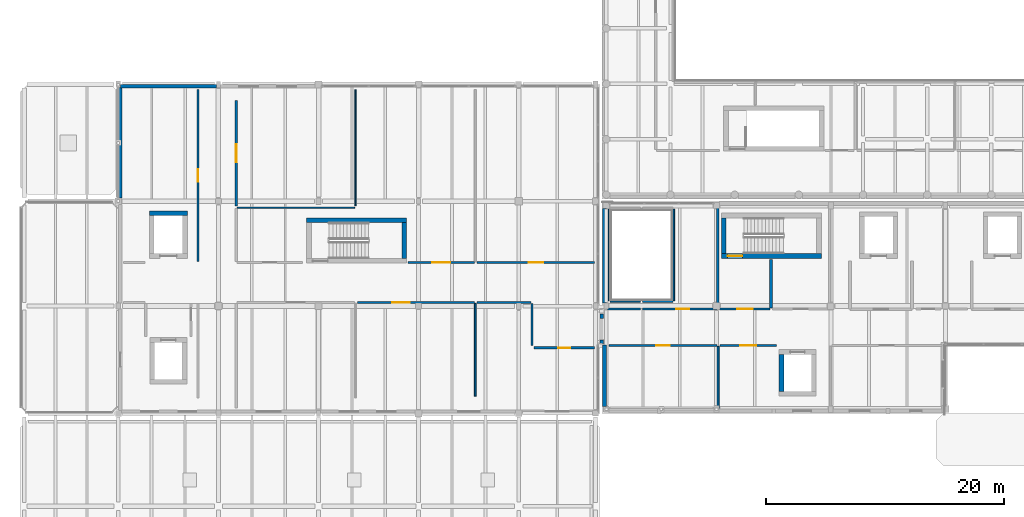
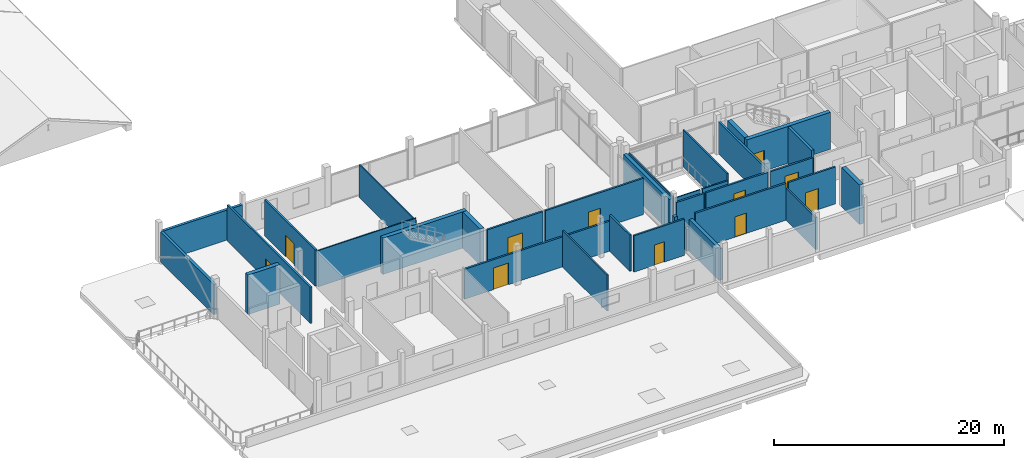
# One storey, part 41 of 66: 35 walls, 11 doors, 11 openings.
"""IFC4 building model written with IfcOpenShell, lengths in metres."""

from ifc_helpers import new_model, si_unit, direction, frame, frame_2d, origin, place, context, subcontext, project, spatial, rectangle, extrude, material, layer, layer_set, type_object, element, fill, save


model = new_model("IFC4")

# Units and contexts
model_context = context("Model", 3, precision=1e-05, world=origin(), true_north=direction((0.0, 1.0)))
body_context = subcontext(model_context, "Body", "Model", "MODEL_VIEW")
ifc_project = project(units=[si_unit("LENGTHUNIT", "METRE"), si_unit("AREAUNIT", "SQUARE_METRE"), si_unit("VOLUMEUNIT", "CUBIC_METRE"), si_unit("PLANEANGLEUNIT", "RADIAN"), si_unit("MASSUNIT", "GRAM", prefix="KILO")], contexts=[model_context])

# Site, building, storey
site_placement = place(None, origin())
site = spatial("IfcSite", under=ifc_project, at=site_placement, CompositionType="ELEMENT")
building_placement = place(site_placement, origin())
building = spatial("IfcBuilding", under=site, at=building_placement, Name="Birchvale Park Specialist Clinic", CompositionType="ELEMENT")
storey_placement = place(building_placement, frame((0.0, 0.0, 5.39990234375)))
storey = spatial("IfcBuildingStorey", under=building, at=storey_placement, Name="L01", CompositionType="ELEMENT", Elevation=5.39990234375)

# Walls
ifc_material_1 = material(Name="Concrete C40/50", Category="concrete")
ifc_layer_1 = layer(ifc_material_1, 0.39990234375)
ifc_layer_set_1 = layer_set([ifc_layer_1], Name="Concrete C40/50")
wall_type_1 = type_object("IfcWallType", Name="WL-CW-120", PredefinedType="SHEAR", material=ifc_layer_set_1)
wall_1_placement = place(storey_placement, frame((35.39990234375, 33.0, 0.0), z_axis=(0.0, 0.0, 1.0), x_axis=(-1.0, 0.0, 0.0)))
element("IfcWall", 1, at=wall_1_placement, inside=storey, type_object=wall_type_1, Name="L01 stair ST2 EI 120 enclosure wall (north)", PredefinedType="SHEAR", context=body_context, shape_type="SweptSolid", body=[
    extrude(rectangle(XDim=8.39990234375, YDim=0.39990234375, at=frame_2d((4.199951171875, 0.0))), origin(), (0.0, 0.0, 1.0), 3.85009765625),
])
wall_2_placement = place(storey_placement, frame((35.199951171875, 32.800048828125, 0.0), z_axis=(0.0, 0.0, 1.0), x_axis=(0.0, -1.0, 0.0)))
element("IfcWall", 2, at=wall_2_placement, inside=storey, type_object=wall_type_1, Name="L01 stair ST2 EI 120 enclosure wall (east)", PredefinedType="SHEAR", context=body_context, shape_type="SweptSolid", body=[
    extrude(rectangle(XDim=3.0, YDim=0.39990234375, at=frame_2d((1.5, 0.0))), origin(), (0.0, 0.0, 1.0), 3.85009765625),
])

# Wall, opening, door
wall_3_placement = place(storey_placement, frame((61.800048828125, 30.0, 0.0), z_axis=(0.0, 0.0, 1.0), x_axis=(1.0, 0.0, 0.0)))
wall_3 = element("IfcWall", 3, at=wall_3_placement, inside=storey, type_object=wall_type_1, Name="L01 stair ST4 EI 120 enclosure wall (south)", PredefinedType="SHEAR", context=body_context, shape_type="SweptSolid", body=[
    extrude(rectangle(XDim=8.39990234375, YDim=0.39990234375, at=frame_2d((4.199951171875, 0.0))), origin(), (0.0, 0.0, 1.0), 3.920166015625),
])
opening_1_placement = place(wall_3_placement, frame((0.52001953125, 0.0, 0.0)))
opening_1 = element("IfcOpeningElement", 4, at=opening_1_placement, cuts=wall_3, Name="Opening ID-FD60", PredefinedType="OPENING", context=body_context, shape_type="SweptSolid", body=[
    extrude(rectangle(XDim=1.25, YDim=2.199951171875, at=frame_2d((0.625, 1.10009765625))), frame((0.0, 0.2099609375, 0.0), z_axis=(0.0, -1.0, 0.0), x_axis=(1.0, 0.0, 0.0)), (0.0, 0.0, 1.0), 0.419921875),
])
ifc_material_2 = material(Name="Solid-core birch veneer and anodised aluminium", Category="aluminium")
door_type_1 = type_object("IfcDoorType", Name="DR-ID-FD60", OperationType="NOTDEFINED", PredefinedType="DOOR", material=ifc_material_2)
door_1_placement = place(opening_1_placement, origin())
door_1 = element("IfcDoor", 5, at=door_1_placement, inside=storey, type_object=door_type_1, Name="L01 stair ST4 fire door", OperationType="SINGLE_SWING_RIGHT", OverallHeight=2.199951171875, OverallWidth=1.25, PredefinedType="DOOR", context=body_context, shape_type="SweptSolid", body=[
    extrude(rectangle(XDim=1.25, YDim=2.199951171875, at=frame_2d((0.625, 1.10009765625))), frame((0.0, 0.02490234375, 0.0), z_axis=(0.0, -1.0, 0.0), x_axis=(1.0, 0.0, 0.0)), (0.0, 0.0, 1.0), 0.050048828125),
])
fill(opening_1, door_1)

# Walls
wall_4_placement = place(storey_placement, frame((62.0, 30.199951171875, 0.0), z_axis=(0.0, 0.0, 1.0), x_axis=(0.0, 1.0, 0.0)))
element("IfcWall", 6, at=wall_4_placement, inside=storey, type_object=wall_type_1, Name="L01 stair ST4 EI 120 enclosure wall (west)", PredefinedType="SHEAR", context=body_context, shape_type="SweptSolid", body=[
    extrude(rectangle(XDim=3.0, YDim=0.39990234375, at=frame_2d((1.5, 0.0))), origin(), (0.0, 0.0, 1.0), 3.920166015625),
])
wall_5_placement = place(storey_placement, frame((66.85009765625, 18.64990234375, 0.0), z_axis=(0.0, 0.0, 1.0), x_axis=(0.0, 1.0, 0.0)))
element("IfcWall", 7, at=wall_5_placement, inside=storey, type_object=wall_type_1, Name="L01 lift LP1 shaft wall (west)", PredefinedType="SHEAR", context=body_context, shape_type="SweptSolid", body=[
    extrude(rectangle(XDim=3.10009765625, YDim=0.39990234375, at=frame_2d((1.550048828125, 0.0))), origin(), (0.0, 0.0, 1.0), 4.2001953125),
])
wall_6_placement = place(storey_placement, frame((17.0, 33.60009765625, 0.0), z_axis=(0.0, 0.0, 1.0), x_axis=(-1.0, 0.0, 0.0)))
element("IfcWall", 8, at=wall_6_placement, inside=storey, type_object=wall_type_1, Name="L01 lift LS1 shaft wall (north)", PredefinedType="SHEAR", context=body_context, shape_type="SweptSolid", body=[
    extrude(rectangle(XDim=3.199951171875, YDim=0.39990234375, at=frame_2d((1.60009765625, 0.0))), origin(), (0.0, 0.0, 1.0), 4.2001953125),
])
ifc_material_3 = material(Name="Lime-white mineral-rendered insulated masonry", Category="masonry")
ifc_layer_2 = layer(ifc_material_3, 0.340087890625)
ifc_layer_set_2 = layer_set([ifc_layer_2], Name="Lime-white mineral-rendered insulated masonry")
wall_type_2 = type_object("IfcWallType", Name="WL-EW-01", PredefinedType="STANDARD", material=ifc_layer_set_2)
wall_7_placement = place(storey_placement, frame((51.989990234375, 33.989990234375, 0.0), z_axis=(0.0, 0.0, 1.0), x_axis=(0.0, -1.0, 0.0)))
element("IfcWall", 9, at=wall_7_placement, inside=storey, type_object=wall_type_2, Name="V4 L01 exterior facade wall 157", PredefinedType="STANDARD", context=body_context, shape_type="SweptSolid", body=[
    extrude(rectangle(XDim=7.93505859375, YDim=0.340087890625, at=frame_2d((3.967529296875, 0.0))), origin(), (0.0, 0.0, 1.0), 3.364990234375),
])
wall_8_placement = place(storey_placement, frame((51.989990234375, 22.550048828125, 0.0), z_axis=(0.0, 0.0, 1.0), x_axis=(0.0, -1.0, 0.0)))
element("IfcWall", 10, at=wall_8_placement, inside=storey, type_object=wall_type_2, Name="V4 L01 exterior facade wall 158", PredefinedType="STANDARD", context=body_context, shape_type="SweptSolid", body=[
    extrude(rectangle(XDim=5.1650390625, YDim=0.340087890625, at=frame_2d((2.58251953125, 0.0))), origin(), (0.0, 0.0, 1.0), 3.364990234375),
])
ifc_layer_3 = layer(ifc_material_3, 0.27001953125)
ifc_layer_set_3 = layer_set([ifc_layer_3], Name="Lime-white mineral-rendered insulated masonry")
wall_type_3 = type_object("IfcWallType", Name="WL-EW-04", PredefinedType="STANDARD", material=ifc_layer_set_3)
wall_9_placement = place(storey_placement, frame((19.429931640625, 44.2451171875, 0.0), z_axis=(0.0, 0.0, 1.0), x_axis=(-1.0, 0.0, 0.0)))
element("IfcWall", 11, at=wall_9_placement, inside=storey, type_object=wall_type_3, Name="V2 L01 exterior facade wall 133", PredefinedType="STANDARD", context=body_context, shape_type="SweptSolid", body=[
    extrude(rectangle(XDim=8.034912109375, YDim=0.27001953125, at=frame_2d((4.017578125, 0.0))), origin(), (0.0, 0.0, 1.0), 3.18505859375),
])
wall_10_placement = place(storey_placement, frame((11.35498046875, 44.1298828125, 0.0), z_axis=(0.0, 0.0, 1.0), x_axis=(0.0, -1.0, 0.0)))
element("IfcWall", 12, at=wall_10_placement, inside=storey, type_object=wall_type_3, Name="V2 L01 exterior facade wall 134", PredefinedType="STANDARD", context=body_context, shape_type="SweptSolid", body=[
    extrude(rectangle(XDim=9.259765625, YDim=0.27001953125, at=frame_2d((4.6298828125, 0.0))), origin(), (0.0, 0.0, 1.0), 3.195068359375),
])
ifc_material_4 = material(Name="Acoustic gypsum board on metal framing")
ifc_layer_4 = layer(ifc_material_4, 0.1650390625)
ifc_layer_set_4 = layer_set([ifc_layer_4], Name="Acoustic gypsum board on metal framing")
wall_type_4 = type_object("IfcWallType", Name="WL-IW-01", PredefinedType="PARTITIONING", material=ifc_layer_set_4)
wall_11_placement = place(storey_placement, frame((61.526611328125, 22.419921875, 0.0), z_axis=(0.0, 0.0, 1.0), x_axis=(0.0, -1.0, 0.0)))
element("IfcWall", 13, at=wall_11_placement, inside=storey, type_object=wall_type_4, Name="V4 L01 clinical partition 324", PredefinedType="PARTITIONING", context=body_context, shape_type="SweptSolid", body=[
    extrude(rectangle(XDim=5.179931640625, YDim=0.1650390625, at=frame_2d((2.58984375, 0.0))), origin(), (0.0, 0.0, 1.0), 3.405029296875),
])
ifc_layer_5 = layer(ifc_material_4, 0.14990234375)
ifc_layer_set_5 = layer_set([ifc_layer_5], Name="Acoustic gypsum board on metal framing")
wall_type_5 = type_object("IfcWallType", Name="WL-IW-02", PredefinedType="PARTITIONING", material=ifc_layer_set_5)
wall_12_placement = place(storey_placement, frame((41.1533203125, 26.02001953125, 0.0), z_axis=(0.0, 0.0, 1.0), x_axis=(0.0, -1.0, 0.0)))
element("IfcWall", 14, at=wall_12_placement, inside=storey, type_object=wall_type_5, Name="V2 L01 clinical partition 309", PredefinedType="PARTITIONING", context=body_context, shape_type="SweptSolid", body=[
    extrude(rectangle(XDim=7.76513671875, YDim=0.14990234375, at=frame_2d((3.882568359375, 0.0))), origin(), (0.0, 0.0, 1.0), 3.85009765625),
])
wall_13_placement = place(storey_placement, frame((55.199951171875, 26.179931640625, 0.0), z_axis=(0.0, 0.0, 1.0), x_axis=(1.0, 0.0, 0.0)))
element("IfcWall", 15, at=wall_13_placement, inside=storey, type_object=wall_type_5, Name="V4 L01 clinical partition 341", PredefinedType="PARTITIONING", context=body_context, shape_type="SweptSolid", body=[
    extrude(rectangle(XDim=2.5400390625, YDim=0.14990234375, at=frame_2d((1.27001953125, 0.0))), origin(), (0.0, 0.0, 1.0), 3.255126953125),
])
ifc_layer_6 = layer(ifc_material_4, 0.139892578125)
ifc_layer_set_6 = layer_set([ifc_layer_6], Name="Acoustic gypsum board on metal framing")
wall_type_6 = type_object("IfcWallType", Name="WL-IW-03", PredefinedType="PARTITIONING", material=ifc_layer_set_6)
wall_14_placement = place(storey_placement, frame((57.820068359375, 26.260009765625, 0.0), z_axis=(0.0, 0.0, 1.0), x_axis=(0.0, 1.0, 0.0)))
element("IfcWall", 16, at=wall_14_placement, inside=storey, type_object=wall_type_6, Name="V4 L01 clinical partition 342", PredefinedType="PARTITIONING", context=body_context, shape_type="SweptSolid", body=[
    extrude(rectangle(XDim=7.679931640625, YDim=0.139892578125, at=frame_2d((3.83984375, 0.0))), origin(), (0.0, 0.0, 1.0), 3.920166015625),
])
ifc_layer_7 = layer(ifc_material_4, 0.125)
ifc_layer_set_7 = layer_set([ifc_layer_7], Name="Acoustic gypsum board on metal framing")
wall_type_7 = type_object("IfcWallType", Name="WL-IW-04", PredefinedType="PARTITIONING", material=ifc_layer_set_7)
wall_15_placement = place(storey_placement, frame((52.3798828125, 33.93994140625, 0.0), z_axis=(0.0, 0.0, 1.0), x_axis=(0.0, -1.0, 0.0)))
element("IfcWall", 17, at=wall_15_placement, inside=storey, type_object=wall_type_7, Name="V4 L01 clinical partition 338", PredefinedType="PARTITIONING", context=body_context, shape_type="SweptSolid", body=[
    extrude(rectangle(XDim=7.679931640625, YDim=0.125, at=frame_2d((3.83984375, 0.0))), origin(), (0.0, 0.0, 1.0), 3.364990234375),
])
ifc_layer_8 = layer(ifc_material_4, 0.114990234375)
ifc_layer_set_8 = layer_set([ifc_layer_8], Name="Acoustic gypsum board on metal framing")
wall_type_8 = type_object("IfcWallType", Name="WL-IW-05", PredefinedType="PARTITIONING", material=ifc_layer_set_8)
wall_16_placement = place(storey_placement, frame((21.179931640625, 34.050048828125, 0.0), z_axis=(0.0, 0.0, 1.0), x_axis=(1.0, 0.0, 0.0)))
element("IfcWall", 18, at=wall_16_placement, inside=storey, type_object=wall_type_8, Name="V2 L01 clinical partition 316", PredefinedType="PARTITIONING", context=body_context, shape_type="SweptSolid", body=[
    extrude(rectangle(XDim=9.8466796875, YDim=0.114990234375, at=frame_2d((4.92333984375, 0.0))), origin(), (0.0, 0.0, 1.0), 3.85009765625),
])
wall_17_placement = place(storey_placement, frame((31.106689453125, 43.9599609375, 0.0), z_axis=(0.0, 0.0, 1.0), x_axis=(0.0, -1.0, 0.0)))
element("IfcWall", 19, at=wall_17_placement, inside=storey, type_object=wall_type_8, Name="V2 L01 clinical partition 318", PredefinedType="PARTITIONING", context=body_context, shape_type="SweptSolid", body=[
    extrude(rectangle(XDim=9.75, YDim=0.114990234375, at=frame_2d((4.875, 0.0))), origin(), (0.0, 0.0, 1.0), 3.484130859375),
])
wall_18_placement = place(storey_placement, frame((52.4599609375, 26.179931640625, 0.0), z_axis=(0.0, 0.0, 1.0), x_axis=(1.0, 0.0, 0.0)))
element("IfcWall", 20, at=wall_18_placement, inside=storey, type_object=wall_type_8, Name="V4 L01 clinical partition 339", PredefinedType="PARTITIONING", context=body_context, shape_type="SweptSolid", body=[
    extrude(rectangle(XDim=2.5400390625, YDim=0.114990234375, at=frame_2d((1.27001953125, 0.0))), origin(), (0.0, 0.0, 1.0), 3.255126953125),
])
ifc_layer_9 = layer(ifc_material_4, 0.195068359375)
ifc_layer_set_9 = layer_set([ifc_layer_9], Name="Acoustic gypsum board on metal framing")
wall_type_9 = type_object("IfcWallType", Name="WL-IW-07", PredefinedType="PARTITIONING", material=ifc_layer_set_9)
wall_19_placement = place(storey_placement, frame((61.506591796875, 34.159912109375, 0.0), z_axis=(0.0, 0.0, 1.0), x_axis=(0.0, -1.0, 0.0)))
element("IfcWall", 21, at=wall_19_placement, inside=storey, type_object=wall_type_9, Name="V4 L01 clinical partition 344", PredefinedType="PARTITIONING", context=body_context, shape_type="SweptSolid", body=[
    extrude(rectangle(XDim=8.530029296875, YDim=0.195068359375, at=frame_2d((4.26513671875, 0.0))), origin(), (0.0, 0.0, 1.0), 3.405029296875),
])
ifc_layer_10 = layer(ifc_material_4, 0.239990234375)
ifc_layer_set_10 = layer_set([ifc_layer_10], Name="Acoustic gypsum board on metal framing")
wall_type_10 = type_object("IfcWallType", Name="WL-IW-08", PredefinedType="PARTITIONING", material=ifc_layer_set_10)
wall_20_placement = place(storey_placement, frame((65.97998046875, 29.699951171875, 0.0), z_axis=(0.0, 0.0, 1.0), x_axis=(0.0, -1.0, 0.0)))
element("IfcWall", 22, at=wall_20_placement, inside=storey, type_object=wall_type_10, Name="V4 L01 clinical partition 346", PredefinedType="PARTITIONING", context=body_context, shape_type="SweptSolid", body=[
    extrude(rectangle(XDim=4.070068359375, YDim=0.239990234375, at=frame_2d((2.03515625, 0.0))), origin(), (0.0, 0.0, 1.0), 3.920166015625),
])

# Wall, opening, door
ifc_layer_11 = layer(ifc_material_4, 0.179931640625)
ifc_layer_set_11 = layer_set([ifc_layer_11], Name="Acoustic gypsum board on metal framing")
wall_type_11 = type_object("IfcWallType", Name="WL-IW-60", PredefinedType="PARTITIONING", material=ifc_layer_set_11)
wall_21_placement = place(storey_placement, frame((31.2666015625, 26.10009765625, 0.0), z_axis=(0.0, 0.0, 1.0), x_axis=(1.0, 0.0, 0.0)))
wall_21 = element("IfcWall", 23, at=wall_21_placement, inside=storey, type_object=wall_type_11, Name="V2 L01 clinical partition 308", PredefinedType="PARTITIONING", context=body_context, shape_type="SweptSolid", body=[
    extrude(rectangle(XDim=9.806640625, YDim=0.179931640625, at=frame_2d((4.9033203125, 0.0))), origin(), (0.0, 0.0, 1.0), 3.18505859375),
])
opening_2_placement = place(wall_21_placement, frame((2.9033203125, 0.0, 0.0)))
opening_2 = element("IfcOpeningElement", 24, at=opening_2_placement, cuts=wall_21, Name="Opening ID-07", PredefinedType="OPENING", context=body_context, shape_type="SweptSolid", body=[
    extrude(rectangle(XDim=1.5, YDim=2.300048828125, at=frame_2d((0.75, 1.14990234375))), frame((0.0, 0.10009765625, 0.0), z_axis=(0.0, -1.0, 0.0), x_axis=(1.0, 0.0, 0.0)), (0.0, 0.0, 1.0), 0.199951171875),
])
door_type_2 = type_object("IfcDoorType", Name="DR-ID-07", OperationType="DOUBLE_DOOR_SINGLE_SWING", PredefinedType="DOOR", material=ifc_material_2)
door_2_placement = place(opening_2_placement, origin())
door_2 = element("IfcDoor", 25, at=door_2_placement, inside=storey, type_object=door_type_2, Name="L01 Nuclear Medicine Scanner Room door", OperationType="DOUBLE_DOOR_SINGLE_SWING", OverallHeight=2.300048828125, OverallWidth=1.5, PredefinedType="DOOR", context=body_context, shape_type="SweptSolid", body=[
    extrude(rectangle(XDim=1.5, YDim=2.300048828125, at=frame_2d((0.75, 1.14990234375))), frame((0.0, 0.02490234375, 0.0), z_axis=(0.0, -1.0, 0.0), x_axis=(1.0, 0.0, 0.0)), (0.0, 0.0, 1.0), 0.050048828125),
])
fill(opening_2, door_2)

# Walls
wall_22_placement = place(storey_placement, frame((41.313232421875, 26.10009765625, 0.0), z_axis=(0.0, 0.0, 1.0), x_axis=(1.0, 0.0, 0.0)))
element("IfcWall", 26, at=wall_22_placement, inside=storey, type_object=wall_type_11, Name="V2 L01 clinical partition 310", PredefinedType="PARTITIONING", context=body_context, shape_type="SweptSolid", body=[
    extrude(rectangle(XDim=4.5068359375, YDim=0.179931640625, at=frame_2d((2.25341796875, 0.0))), origin(), (0.0, 0.0, 1.0), 3.18505859375),
])
wall_23_placement = place(storey_placement, frame((45.89990234375, 26.02001953125, 0.0), z_axis=(0.0, 0.0, 1.0), x_axis=(0.0, -1.0, 0.0)))
element("IfcWall", 27, at=wall_23_placement, inside=storey, type_object=wall_type_11, Name="V2 L01 clinical partition 311", PredefinedType="PARTITIONING", context=body_context, shape_type="SweptSolid", body=[
    extrude(rectangle(XDim=3.5400390625, YDim=0.179931640625, at=frame_2d((1.77001953125, 0.0))), origin(), (0.0, 0.0, 1.0), 3.85009765625),
])

# Wall, opening, door
wall_24_placement = place(storey_placement, frame((46.080078125, 22.300048828125, 0.0), z_axis=(0.0, 0.0, 1.0), x_axis=(1.0, 0.0, 0.0)))
wall_24 = element("IfcWall", 28, at=wall_24_placement, inside=storey, type_object=wall_type_11, Name="V2 L01 clinical partition 312", PredefinedType="PARTITIONING", context=body_context, shape_type="SweptSolid", body=[
    extrude(rectangle(XDim=5.079833984375, YDim=0.179931640625, at=frame_2d((2.5400390625, 0.0))), origin(), (0.0, 0.0, 1.0), 3.85009765625),
])
opening_3_placement = place(wall_24_placement, frame((2.0400390625, 0.0, 0.0)))
opening_3 = element("IfcOpeningElement", 29, at=opening_3_placement, cuts=wall_24, Name="Opening ID-01", PredefinedType="OPENING", context=body_context, shape_type="SweptSolid", body=[
    extrude(rectangle(XDim=1.0, YDim=2.14990234375, at=frame_2d((0.5, 1.074951171875))), frame((0.0, 0.10009765625, 0.0), z_axis=(0.0, -1.0, 0.0), x_axis=(1.0, 0.0, 0.0)), (0.0, 0.0, 1.0), 0.199951171875),
])
door_type_3 = type_object("IfcDoorType", Name="DR-ID-01", OperationType="NOTDEFINED", PredefinedType="DOOR", material=ifc_material_2)
door_3_placement = place(opening_3_placement, origin())
door_3 = element("IfcDoor", 30, at=door_3_placement, inside=storey, type_object=door_type_3, Name="L01 Clinical Pathology Laboratory door", OperationType="SINGLE_SWING_RIGHT", OverallHeight=2.14990234375, OverallWidth=1.0, PredefinedType="DOOR", context=body_context, shape_type="SweptSolid", body=[
    extrude(rectangle(XDim=1.0, YDim=2.14990234375, at=frame_2d((0.5, 1.074951171875))), frame((0.0, 0.02490234375, 0.0), z_axis=(0.0, -1.0, 0.0), x_axis=(1.0, 0.0, 0.0)), (0.0, 0.0, 1.0), 0.050048828125),
])
fill(opening_3, door_3)

wall_25_placement = place(storey_placement, frame((17.89990234375, 43.9599609375, 0.0), z_axis=(0.0, 0.0, 1.0), x_axis=(0.0, -1.0, 0.0)))
wall_25 = element("IfcWall", 31, at=wall_25_placement, inside=storey, type_object=wall_type_11, Name="V2 L01 clinical partition 314", PredefinedType="PARTITIONING", context=body_context, shape_type="SweptSolid", body=[
    extrude(rectangle(XDim=14.429931640625, YDim=0.179931640625, at=frame_2d((7.21484375, 0.0))), origin(), (0.0, 0.0, 1.0), 3.85009765625),
])
opening_4_placement = place(wall_25_placement, frame((6.695068359375, 0.0, 0.0)))
opening_4 = element("IfcOpeningElement", 32, at=opening_4_placement, cuts=wall_25, Name="Opening ID-02", PredefinedType="OPENING", context=body_context, shape_type="SweptSolid", body=[
    extrude(rectangle(XDim=1.0400390625, YDim=2.14990234375, at=frame_2d((0.52001953125, 1.074951171875))), frame((0.0, 0.10009765625, 0.0), z_axis=(0.0, -1.0, 0.0), x_axis=(1.0, 0.0, 0.0)), (0.0, 0.0, 1.0), 0.199951171875),
])
door_type_4 = type_object("IfcDoorType", Name="DR-ID-02", OperationType="NOTDEFINED", PredefinedType="DOOR", material=ifc_material_2)
door_4_placement = place(opening_4_placement, origin())
door_4 = element("IfcDoor", 33, at=door_4_placement, inside=storey, type_object=door_type_4, Name="L01 Outpatient Waiting Lounge door", OperationType="SINGLE_SWING_LEFT", OverallHeight=2.14990234375, OverallWidth=1.0400390625, PredefinedType="DOOR", context=body_context, shape_type="SweptSolid", body=[
    extrude(rectangle(XDim=1.0400390625, YDim=2.14990234375, at=frame_2d((0.52001953125, 1.074951171875))), frame((0.0, 0.02490234375, 0.0), z_axis=(0.0, -1.0, 0.0), x_axis=(1.0, 0.0, 0.0)), (0.0, 0.0, 1.0), 0.050048828125),
])
fill(opening_4, door_4)

wall_26_placement = place(storey_placement, frame((21.10009765625, 34.2099609375, 0.0), z_axis=(0.0, 0.0, 1.0), x_axis=(0.0, 1.0, 0.0)))
wall_26 = element("IfcWall", 34, at=wall_26_placement, inside=storey, type_object=wall_type_11, Name="V2 L01 clinical partition 319", PredefinedType="PARTITIONING", context=body_context, shape_type="SweptSolid", body=[
    extrude(rectangle(XDim=8.8349609375, YDim=0.179931640625, at=frame_2d((4.41748046875, 0.0))), origin(), (0.0, 0.0, 1.0), 3.85009765625),
])
opening_5_placement = place(wall_26_placement, frame((3.66748046875, 0.0, 0.0)))
opening_5 = element("IfcOpeningElement", 35, at=opening_5_placement, cuts=wall_26, Name="Opening ID-07", PredefinedType="OPENING", context=body_context, shape_type="SweptSolid", body=[
    extrude(rectangle(XDim=1.5, YDim=2.300048828125, at=frame_2d((0.75, 1.14990234375))), frame((0.0, 0.10009765625, 0.0), z_axis=(0.0, -1.0, 0.0), x_axis=(1.0, 0.0, 0.0)), (0.0, 0.0, 1.0), 0.199951171875),
])
door_5_placement = place(opening_5_placement, origin())
door_5 = element("IfcDoor", 36, at=door_5_placement, inside=storey, type_object=door_type_2, Name="L01 PET-CT Diagnostic Imaging Suite door", OperationType="DOUBLE_DOOR_SINGLE_SWING", OverallHeight=2.300048828125, OverallWidth=1.5, PredefinedType="DOOR", context=body_context, shape_type="SweptSolid", body=[
    extrude(rectangle(XDim=1.5, YDim=2.300048828125, at=frame_2d((0.75, 1.14990234375))), frame((0.0, 0.02490234375, 0.0), z_axis=(0.0, -1.0, 0.0), x_axis=(1.0, 0.0, 0.0)), (0.0, 0.0, 1.0), 0.050048828125),
])
fill(opening_5, door_5)

wall_27_placement = place(storey_placement, frame((41.0732421875, 29.449951171875, 0.0), z_axis=(0.0, 0.0, 1.0), x_axis=(-1.0, 0.0, 0.0)))
wall_27 = element("IfcWall", 37, at=wall_27_placement, inside=storey, type_object=wall_type_11, Name="V2 L01 clinical partition 321", PredefinedType="PARTITIONING", context=body_context, shape_type="SweptSolid", body=[
    extrude(rectangle(XDim=5.5732421875, YDim=0.179931640625, at=frame_2d((2.78662109375, 0.0))), origin(), (0.0, 0.0, 1.0), 3.85009765625),
])
opening_6_placement = place(wall_27_placement, frame((2.03662109375, 0.0, 0.0)))
opening_6 = element("IfcOpeningElement", 38, at=opening_6_placement, cuts=wall_27, Name="Opening ID-07", PredefinedType="OPENING", context=body_context, shape_type="SweptSolid", body=[
    extrude(rectangle(XDim=1.5, YDim=2.300048828125, at=frame_2d((0.75, 1.14990234375))), frame((0.0, 0.10009765625, 0.0), z_axis=(0.0, -1.0, 0.0), x_axis=(1.0, 0.0, 0.0)), (0.0, 0.0, 1.0), 0.199951171875),
])
door_6_placement = place(opening_6_placement, origin())
door_6 = element("IfcDoor", 39, at=door_6_placement, inside=storey, type_object=door_type_2, Name="L01 PET-CT Diagnostic Imaging Suite door", OperationType="DOUBLE_DOOR_SINGLE_SWING", OverallHeight=2.300048828125, OverallWidth=1.5, PredefinedType="DOOR", context=body_context, shape_type="SweptSolid", body=[
    extrude(rectangle(XDim=1.5, YDim=2.300048828125, at=frame_2d((0.75, 1.14990234375))), frame((0.0, 0.02490234375, 0.0), z_axis=(0.0, -1.0, 0.0), x_axis=(1.0, 0.0, 0.0)), (0.0, 0.0, 1.0), 0.050048828125),
])
fill(opening_6, door_6)

wall_28_placement = place(storey_placement, frame((51.159912109375, 29.449951171875, 0.0), z_axis=(0.0, 0.0, 1.0), x_axis=(-1.0, 0.0, 0.0)))
wall_28 = element("IfcWall", 40, at=wall_28_placement, inside=storey, type_object=wall_type_11, Name="V2 L01 clinical partition 322", PredefinedType="PARTITIONING", context=body_context, shape_type="SweptSolid", body=[
    extrude(rectangle(XDim=9.8466796875, YDim=0.179931640625, at=frame_2d((4.92333984375, 0.0))), origin(), (0.0, 0.0, 1.0), 3.85009765625),
])
opening_7_placement = place(wall_28_placement, frame((4.313232421875, 0.0, 0.0)))
opening_7 = element("IfcOpeningElement", 41, at=opening_7_placement, cuts=wall_28, Name="Opening ID-10", PredefinedType="OPENING", context=body_context, shape_type="SweptSolid", body=[
    extrude(rectangle(XDim=1.219970703125, YDim=2.179931640625, at=frame_2d((0.60986328125, 1.08984375))), frame((0.0, 0.10009765625, 0.0), z_axis=(0.0, -1.0, 0.0), x_axis=(1.0, 0.0, 0.0)), (0.0, 0.0, 1.0), 0.199951171875),
])
door_type_5 = type_object("IfcDoorType", Name="DR-ID-10", OperationType="NOTDEFINED", PredefinedType="DOOR", material=ifc_material_2)
door_7_placement = place(opening_7_placement, origin())
door_7 = element("IfcDoor", 42, at=door_7_placement, inside=storey, type_object=door_type_5, Name="L01 Radiology Reporting Consult Room door", OperationType="SINGLE_SWING_LEFT", OverallHeight=2.179931640625, OverallWidth=1.219970703125, PredefinedType="DOOR", context=body_context, shape_type="SweptSolid", body=[
    extrude(rectangle(XDim=1.219970703125, YDim=2.179931640625, at=frame_2d((0.60986328125, 1.08984375))), frame((0.0, 0.02490234375, 0.0), z_axis=(0.0, -1.0, 0.0), x_axis=(1.0, 0.0, 0.0)), (0.0, 0.0, 1.0), 0.050048828125),
])
fill(opening_7, door_7)

wall_29_placement = place(storey_placement, frame((52.364990234375, 22.5, 0.0), z_axis=(0.0, 0.0, 1.0), x_axis=(1.0, 0.0, 0.0)))
wall_29 = element("IfcWall", 43, at=wall_29_placement, inside=storey, type_object=wall_type_11, Name="V4 L01 clinical partition 323", PredefinedType="PARTITIONING", context=body_context, shape_type="SweptSolid", body=[
    extrude(rectangle(XDim=9.081787109375, YDim=0.179931640625, at=frame_2d((4.541015625, 0.0))), origin(), (0.0, 0.0, 1.0), 3.920166015625),
])
opening_8_placement = place(wall_29_placement, frame((3.980712890625, 0.0, 0.0)))
opening_8 = element("IfcOpeningElement", 44, at=opening_8_placement, cuts=wall_29, Name="Opening ID-11", PredefinedType="OPENING", context=body_context, shape_type="SweptSolid", body=[
    extrude(rectangle(XDim=1.1201171875, YDim=2.159912109375, at=frame_2d((0.56005859375, 1.080078125))), frame((0.0, 0.10009765625, 0.0), z_axis=(0.0, -1.0, 0.0), x_axis=(1.0, 0.0, 0.0)), (0.0, 0.0, 1.0), 0.199951171875),
])
door_type_6 = type_object("IfcDoorType", Name="DR-ID-11", OperationType="NOTDEFINED", PredefinedType="DOOR", material=ifc_material_2)
door_8_placement = place(opening_8_placement, origin())
door_8 = element("IfcDoor", 45, at=door_8_placement, inside=storey, type_object=door_type_6, Name="L01 Oncology Consultation Suite door", OperationType="SINGLE_SWING_RIGHT", OverallHeight=2.159912109375, OverallWidth=1.1201171875, PredefinedType="DOOR", context=body_context, shape_type="SweptSolid", body=[
    extrude(rectangle(XDim=1.1201171875, YDim=2.159912109375, at=frame_2d((0.56005859375, 1.080078125))), frame((0.0, 0.02490234375, 0.0), z_axis=(0.0, -1.0, 0.0), x_axis=(1.0, 0.0, 0.0)), (0.0, 0.0, 1.0), 0.050048828125),
])
fill(opening_8, door_8)

wall_30_placement = place(storey_placement, frame((61.686767578125, 22.5, 0.0), z_axis=(0.0, 0.0, 1.0), x_axis=(1.0, 0.0, 0.0)))
wall_30 = element("IfcWall", 46, at=wall_30_placement, inside=storey, type_object=wall_type_11, Name="V4 L01 clinical partition 325", PredefinedType="PARTITIONING", context=body_context, shape_type="SweptSolid", body=[
    extrude(rectangle(XDim=4.733154296875, YDim=0.179931640625, at=frame_2d((2.36669921875, 0.0))), origin(), (0.0, 0.0, 1.0), 3.920166015625),
])
opening_9_placement = place(wall_30_placement, frame((1.70654296875, 0.0, 0.0)))
opening_9 = element("IfcOpeningElement", 47, at=opening_9_placement, cuts=wall_30, Name="Opening ID-12", PredefinedType="OPENING", context=body_context, shape_type="SweptSolid", body=[
    extrude(rectangle(XDim=1.320068359375, YDim=2.219970703125, at=frame_2d((0.66015625, 1.10986328125))), frame((0.0, 0.10009765625, 0.0), z_axis=(0.0, -1.0, 0.0), x_axis=(1.0, 0.0, 0.0)), (0.0, 0.0, 1.0), 0.199951171875),
])
door_type_7 = type_object("IfcDoorType", Name="DR-ID-12", OperationType="NOTDEFINED", PredefinedType="DOOR", material=ifc_material_2)
door_9_placement = place(opening_9_placement, origin())
door_9 = element("IfcDoor", 48, at=door_9_placement, inside=storey, type_object=door_type_7, Name="L01 Hematology Examination Clinic door", OperationType="SINGLE_SWING_LEFT", OverallHeight=2.219970703125, OverallWidth=1.320068359375, PredefinedType="DOOR", context=body_context, shape_type="SweptSolid", body=[
    extrude(rectangle(XDim=1.320068359375, YDim=2.219970703125, at=frame_2d((0.66015625, 1.10986328125))), frame((0.0, 0.02490234375, 0.0), z_axis=(0.0, -1.0, 0.0), x_axis=(1.0, 0.0, 0.0)), (0.0, 0.0, 1.0), 0.050048828125),
])
fill(opening_9, door_9)

# Wall
wall_31_placement = place(storey_placement, frame((55.0, 25.550048828125, 0.0), z_axis=(0.0, 0.0, 1.0), x_axis=(-1.0, 0.0, 0.0)))
element("IfcWall", 49, at=wall_31_placement, inside=storey, type_object=wall_type_11, Name="V4 L01 clinical partition 340", PredefinedType="PARTITIONING", context=body_context, shape_type="SweptSolid", body=[
    extrude(rectangle(XDim=2.760009765625, YDim=0.179931640625, at=frame_2d((1.3798828125, 0.0))), origin(), (0.0, 0.0, 1.0), 3.255126953125),
])

# Wall, opening, door
wall_32_placement = place(storey_placement, frame((61.4267578125, 25.550048828125, 0.0), z_axis=(0.0, 0.0, 1.0), x_axis=(-1.0, 0.0, 0.0)))
wall_32 = element("IfcWall", 50, at=wall_32_placement, inside=storey, type_object=wall_type_11, Name="V4 L01 clinical partition 345", PredefinedType="PARTITIONING", context=body_context, shape_type="SweptSolid", body=[
    extrude(rectangle(XDim=6.226806640625, YDim=0.179931640625, at=frame_2d((3.11328125, 0.0))), origin(), (0.0, 0.0, 1.0), 3.255126953125),
])
opening_10_placement = place(wall_32_placement, frame((2.30322265625, 0.0, 0.0)))
opening_10 = element("IfcOpeningElement", 51, at=opening_10_placement, cuts=wall_32, Name="Opening ID-11", PredefinedType="OPENING", context=body_context, shape_type="SweptSolid", body=[
    extrude(rectangle(XDim=1.1201171875, YDim=2.159912109375, at=frame_2d((0.56005859375, 1.080078125))), frame((0.0, 0.10009765625, 0.0), z_axis=(0.0, -1.0, 0.0), x_axis=(1.0, 0.0, 0.0)), (0.0, 0.0, 1.0), 0.199951171875),
])
door_10_placement = place(opening_10_placement, origin())
door_10 = element("IfcDoor", 52, at=door_10_placement, inside=storey, type_object=door_type_6, Name="L01 Pain-Management Consultation Clinic door", OperationType="SINGLE_SWING_RIGHT", OverallHeight=2.159912109375, OverallWidth=1.1201171875, PredefinedType="DOOR", context=body_context, shape_type="SweptSolid", body=[
    extrude(rectangle(XDim=1.1201171875, YDim=2.159912109375, at=frame_2d((0.56005859375, 1.080078125))), frame((0.0, 0.02490234375, 0.0), z_axis=(0.0, -1.0, 0.0), x_axis=(1.0, 0.0, 0.0)), (0.0, 0.0, 1.0), 0.050048828125),
])
fill(opening_10, door_10)

wall_33_placement = place(storey_placement, frame((65.89990234375, 25.550048828125, 0.0), z_axis=(0.0, 0.0, 1.0), x_axis=(-1.0, 0.0, 0.0)))
wall_33 = element("IfcWall", 53, at=wall_33_placement, inside=storey, type_object=wall_type_11, Name="V4 L01 clinical partition 347", PredefinedType="PARTITIONING", context=body_context, shape_type="SweptSolid", body=[
    extrude(rectangle(XDim=4.233154296875, YDim=0.179931640625, at=frame_2d((2.11669921875, 0.0))), origin(), (0.0, 0.0, 1.0), 3.22509765625),
])
opening_11_placement = place(wall_33_placement, frame((1.456787109375, 0.0, 0.0)))
opening_11 = element("IfcOpeningElement", 54, at=opening_11_placement, cuts=wall_33, Name="Opening ID-12", PredefinedType="OPENING", context=body_context, shape_type="SweptSolid", body=[
    extrude(rectangle(XDim=1.320068359375, YDim=2.219970703125, at=frame_2d((0.66015625, 1.10986328125))), frame((0.0, 0.10009765625, 0.0), z_axis=(0.0, -1.0, 0.0), x_axis=(1.0, 0.0, 0.0)), (0.0, 0.0, 1.0), 0.199951171875),
])
door_11_placement = place(opening_11_placement, origin())
door_11 = element("IfcDoor", 55, at=door_11_placement, inside=storey, type_object=door_type_7, Name="L01 Staff Consult Room door", OperationType="SINGLE_SWING_LEFT", OverallHeight=2.219970703125, OverallWidth=1.320068359375, PredefinedType="DOOR", context=body_context, shape_type="SweptSolid", body=[
    extrude(rectangle(XDim=1.320068359375, YDim=2.219970703125, at=frame_2d((0.66015625, 1.10986328125))), frame((0.0, 0.02490234375, 0.0), z_axis=(0.0, -1.0, 0.0), x_axis=(1.0, 0.0, 0.0)), (0.0, 0.0, 1.0), 0.050048828125),
])
fill(opening_11, door_11)

# Walls
ifc_layer_12 = layer(ifc_material_1, 0.35009765625)
ifc_layer_set_12 = layer_set([ifc_layer_12], Name="Concrete C40/50")
wall_type_12 = type_object("IfcWallType", Name="WL-SW-350", PredefinedType="SHEAR", material=ifc_layer_set_12)
for number, where, z_axis, x_axis, name in (
    (56, (51.610107421875, 22.800048828125, 0.0), (0.0, 0.0, 1.0), (1.0, 0.0, 0.0), "L01 seismic bridge support pier BRG-1 CRB S"),
    (57, (51.610107421875, 24.949951171875, 0.0), (0.0, 0.0, 1.0), (1.0, 0.0, 0.0), "L01 seismic bridge support pier BRG-1 CRB N"),
):
    element("IfcWall", number, at=place(storey_placement, frame(where, z_axis=z_axis, x_axis=x_axis)), inside=storey, type_object=wall_type_12, Name=name, PredefinedType="SHEAR", context=body_context, shape_type="SweptSolid", body=[
        extrude(rectangle(XDim=0.31982421875, YDim=0.35009765625, at=frame_2d((0.159912109375, 0.0))), origin(), (0.0, 0.0, 1.0), 2.322998046875),
    ])

save(model, "model.ifc")
